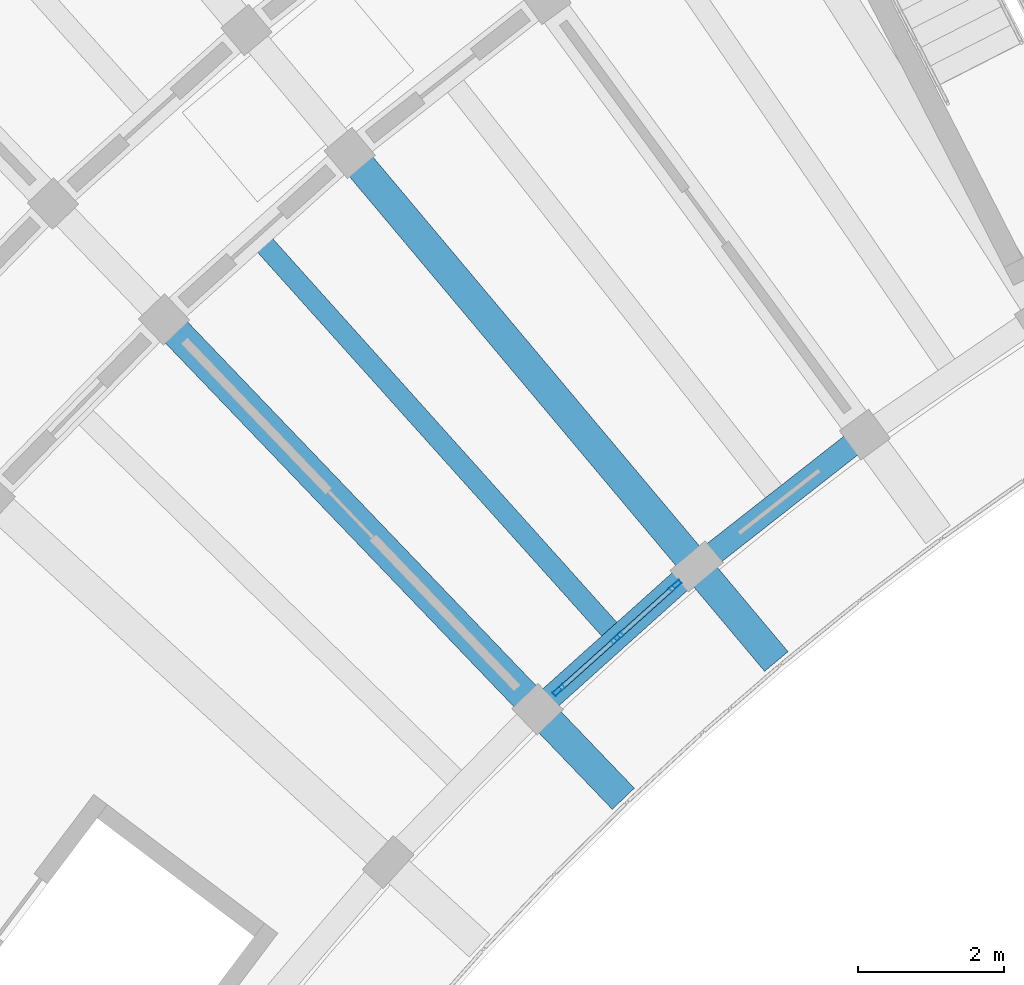
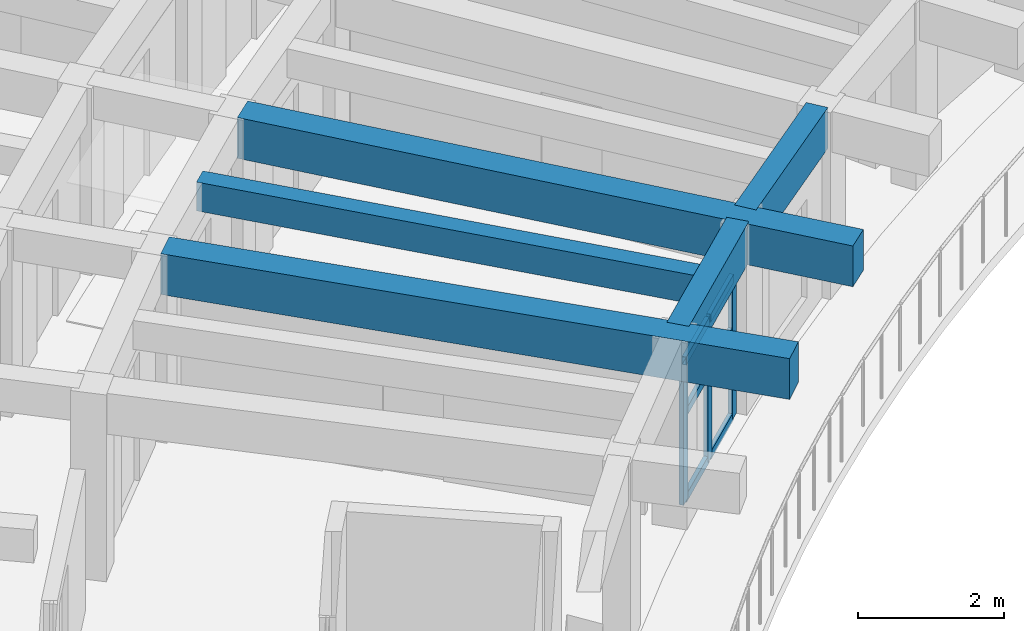
# One storey, part 6 of 41: 9 members, 5 beams, 1 element without a shape of its own.
"""IFC4 building model written with IfcOpenShell, lengths in metres."""

from ifc_helpers import new_model, si_unit, direction, frame, origin, origin_2d, place, context, subcontext, project, spatial, rectangle, hollow_rectangle, extrude, material, material_profile, profile_set, type_object, element, aggregate, save


model = new_model("IFC4")

# Units and contexts
model_context = context("Model", 3, precision=1e-05, world=origin(), true_north=direction((0.0, 1.0)))
body_context = subcontext(model_context, "Body", "Model", "MODEL_VIEW")
ifc_project = project(units=[si_unit("LENGTHUNIT", "METRE"), si_unit("AREAUNIT", "SQUARE_METRE"), si_unit("VOLUMEUNIT", "CUBIC_METRE"), si_unit("PLANEANGLEUNIT", "RADIAN"), si_unit("MASSUNIT", "GRAM", prefix="KILO")], contexts=[model_context])

# Site, building, storey
site_placement = place(None, origin())
site = spatial("IfcSite", under=ifc_project, at=site_placement, CompositionType="ELEMENT")
building_placement = place(site_placement, origin())
building = spatial("IfcBuilding", under=site, at=building_placement, Name="Tanwirah Colonnade Gardens", CompositionType="ELEMENT")
storey_placement = place(building_placement, frame((0.0, 0.0, 35.719970703125)))
storey = spatial("IfcBuildingStorey", under=building, at=storey_placement, Name="L10", CompositionType="ELEMENT", Elevation=35.719970703125)

# Beams
ifc_material_1 = material(Name="Precast concrete C45/55", Category="concrete")
ifc_material_profile_1 = material_profile(ifc_material_1, rectangle(XDim=0.419921875, YDim=0.679931640625, at=origin_2d()), Name="PC-BM 420x680")
ifc_profile_set_1 = profile_set([ifc_material_profile_1], Name="Precast concrete C45/55")
beam_type_1 = type_object("IfcBeamType", Name="BM-PC420", PredefinedType="BEAM", material=ifc_profile_set_1)
for number, where, z_axis, x_axis, name in (
    (1, (31.767822265625, 99.804443359375, 2.775146484375), (0.64279407932, -0.766039014406, 0.0), (0.766039014406, 0.64279407932, 0.0), "Block A L10 Inner Radial Precast Girder 9"),
    (2, (29.230712890625, 97.52880859375, 2.775146484375), (0.691860926595, -0.722030787606, 0.0), (0.722030787606, 0.691860926595, 0.0), "Block A L10 Inner Radial Precast Girder 10"),
):
    element("IfcBeam", number, at=place(storey_placement, frame(where, z_axis=z_axis, x_axis=x_axis)), inside=storey, type_object=beam_type_1, Name=name, PredefinedType="BEAM", context=body_context, shape_type="SweptSolid", body=[
        extrude(rectangle(XDim=0.419921875, YDim=0.679931640625, at=origin_2d()), origin(), (0.0, 0.0, 1.0), 8.949951171875),
    ])

# Curtain wall, members
ifc_material_2 = material(Name="Bronze-anodised aluminium and solar-control low-E glass", Category="aluminium")
curtain_wall_type = type_object("IfcCurtainWallType", Name="CW-GDN", PredefinedType="NOTDEFINED", material=ifc_material_2)
curtain_wall_placement = place(storey_placement, origin())
curtain_wall = element("IfcCurtainWall", 3, at=curtain_wall_placement, inside=storey, type_object=curtain_wall_type, Name="Curtain Wall CW-A-L10-IN-09", PredefinedType="NOTDEFINED")
ifc_material_3 = material(Name="Bronze-anodised aluminium", Category="aluminium")
ifc_material_profile_2 = material_profile(ifc_material_3, hollow_rectangle(XDim=0.06494140625, YDim=0.179931640625, WallThickness=0.00390625, at=origin_2d()), Name="CW-MUL 65x180x4")
ifc_profile_set_2 = profile_set([ifc_material_profile_2], Name="Bronze-anodised aluminium")
member_type_1 = type_object("IfcMemberType", Name="CWM-65x180", PredefinedType="MULLION", material=ifc_profile_set_2)
member_1_placement = place(storey_placement, frame((36.135986328125, 93.988525390625, 0.0), z_axis=(0.0, 0.0, 1.0), x_axis=(0.667689182798, -0.744440162253, 0.0)))
member_1 = element("IfcMember", 4, at=member_1_placement, type_object=member_type_1, Name="CW-GDN mullion 1", PredefinedType="MULLION", context=body_context, shape_type="SweptSolid", body=[
    extrude(hollow_rectangle(XDim=0.06494140625, YDim=0.179931640625, WallThickness=0.00390625, at=origin_2d()), origin(), (0.0, 0.0, 1.0), 2.35498046875),
])
member_2_placement = place(storey_placement, frame((35.33740234375, 93.2724609375, 0.0), z_axis=(0.0, 0.0, 1.0), x_axis=(0.667689182798, -0.744440162253, 0.0)))
member_2 = element("IfcMember", 5, at=member_2_placement, type_object=member_type_1, Name="CW-GDN mullion 2", PredefinedType="MULLION", context=body_context, shape_type="SweptSolid", body=[
    extrude(hollow_rectangle(XDim=0.06494140625, YDim=0.179931640625, WallThickness=0.00390625, at=origin_2d()), origin(), (0.0, 0.0, 1.0), 2.35498046875),
])
member_3_placement = place(storey_placement, frame((34.538818359375, 92.55615234375, 0.0), z_axis=(0.0, 0.0, 1.0), x_axis=(0.667689182798, -0.744440162253, 0.0)))
member_3 = element("IfcMember", 6, at=member_3_placement, type_object=member_type_1, Name="CW-GDN mullion 3", PredefinedType="MULLION", context=body_context, shape_type="SweptSolid", body=[
    extrude(hollow_rectangle(XDim=0.06494140625, YDim=0.179931640625, WallThickness=0.00390625, at=origin_2d()), origin(), (0.0, 0.0, 1.0), 2.35498046875),
])
ifc_material_profile_3 = material_profile(ifc_material_3, hollow_rectangle(XDim=0.06494140625, YDim=0.135009765625, WallThickness=0.00390625, at=origin_2d()), Name="CW-TRN 65x135x4")
ifc_profile_set_3 = profile_set([ifc_material_profile_3], Name="Bronze-anodised aluminium")
member_type_2 = type_object("IfcMemberType", Name="CWT-65x135", PredefinedType="USERDEFINED", material=ifc_profile_set_3)
member_4_placement = place(storey_placement, frame((36.11181640625, 93.966796875, 0.032470703125), z_axis=(-0.744581898821, -0.667531119835, 0.0), x_axis=(0.667531119835, -0.744581898821, 0.0)))
member_4 = element("IfcMember", 7, at=member_4_placement, type_object=member_type_2, Name="CW-GDN transom 1.1", ObjectType="TRANSOM", PredefinedType="USERDEFINED", context=body_context, shape_type="SweptSolid", body=[
    extrude(hollow_rectangle(XDim=0.06494140625, YDim=0.135009765625, WallThickness=0.00390625, at=origin_2d()), origin(), (0.0, 0.0, 1.0), 1.007568359375),
])
member_5_placement = place(storey_placement, frame((36.11181640625, 93.966796875, 1.460205078125), z_axis=(-0.744581898821, -0.667531119835, 0.0), x_axis=(0.667531119835, -0.744581898821, 0.0)))
member_5 = element("IfcMember", 8, at=member_5_placement, type_object=member_type_2, Name="CW-GDN transom 1.2", ObjectType="TRANSOM", PredefinedType="USERDEFINED", context=body_context, shape_type="SweptSolid", body=[
    extrude(hollow_rectangle(XDim=0.06494140625, YDim=0.135009765625, WallThickness=0.00390625, at=origin_2d()), origin(), (0.0, 0.0, 1.0), 1.007568359375),
])
member_6_placement = place(storey_placement, frame((36.11181640625, 93.966796875, 2.322509765625), z_axis=(-0.744581898821, -0.667531119835, 0.0), x_axis=(0.667531119835, -0.744581898821, 0.0)))
member_6 = element("IfcMember", 9, at=member_6_placement, type_object=member_type_2, Name="CW-GDN transom 1.3", ObjectType="TRANSOM", PredefinedType="USERDEFINED", context=body_context, shape_type="SweptSolid", body=[
    extrude(hollow_rectangle(XDim=0.06494140625, YDim=0.135009765625, WallThickness=0.00390625, at=origin_2d()), origin(), (0.0, 0.0, 1.0), 1.007568359375),
])
member_7_placement = place(storey_placement, frame((35.313232421875, 93.250732421875, 0.032470703125), z_axis=(-0.744461476402, -0.667665417821, 0.0), x_axis=(0.667665417821, -0.744461476402, 0.0)))
member_7 = element("IfcMember", 10, at=member_7_placement, type_object=member_type_2, Name="CW-GDN transom 2.1", ObjectType="TRANSOM", PredefinedType="USERDEFINED", context=body_context, shape_type="SweptSolid", body=[
    extrude(hollow_rectangle(XDim=0.06494140625, YDim=0.135009765625, WallThickness=0.00390625, at=origin_2d()), origin(), (0.0, 0.0, 1.0), 1.0078125),
])
member_8_placement = place(storey_placement, frame((35.313232421875, 93.250732421875, 1.460205078125), z_axis=(-0.744461476402, -0.667665417821, 0.0), x_axis=(0.667665417821, -0.744461476402, 0.0)))
member_8 = element("IfcMember", 11, at=member_8_placement, type_object=member_type_2, Name="CW-GDN transom 2.2", ObjectType="TRANSOM", PredefinedType="USERDEFINED", context=body_context, shape_type="SweptSolid", body=[
    extrude(hollow_rectangle(XDim=0.06494140625, YDim=0.135009765625, WallThickness=0.00390625, at=origin_2d()), origin(), (0.0, 0.0, 1.0), 1.0078125),
])
member_9_placement = place(storey_placement, frame((35.313232421875, 93.250732421875, 2.322509765625), z_axis=(-0.744461476402, -0.667665417821, 0.0), x_axis=(0.667665417821, -0.744461476402, 0.0)))
member_9 = element("IfcMember", 12, at=member_9_placement, type_object=member_type_2, Name="CW-GDN transom 2.3", ObjectType="TRANSOM", PredefinedType="USERDEFINED", context=body_context, shape_type="SweptSolid", body=[
    extrude(hollow_rectangle(XDim=0.06494140625, YDim=0.135009765625, WallThickness=0.00390625, at=origin_2d()), origin(), (0.0, 0.0, 1.0), 1.0078125),
])
aggregate(curtain_wall, [member_1, member_2, member_3, member_4, member_5, member_6, member_7, member_8, member_9])

# Beams
ifc_material_4 = material(Name="Precast concrete C40/50", Category="concrete")
ifc_material_profile_4 = material_profile(ifc_material_4, rectangle(XDim=0.280029296875, YDim=0.47998046875, at=origin_2d()), Name="PC-JST 280x480")
ifc_profile_set_4 = profile_set([ifc_material_profile_4], Name="Precast concrete C40/50")
beam_type_2 = type_object("IfcBeamType", Name="JST-PC280", PredefinedType="JOIST", material=ifc_profile_set_4)
beam_placement = place(storey_placement, frame((35.2412109375, 93.379638671875, 2.875), z_axis=(-0.667688404274, 0.744440860511, 0.0), x_axis=(-0.744440860511, -0.667688404274, 0.0)))
element("IfcBeam", 13, at=beam_placement, inside=storey, type_object=beam_type_2, Name="Block A L10 Inner Precast Floor Joist 9", PredefinedType="JOIST", context=body_context, shape_type="SweptSolid", body=[
    extrude(rectangle(XDim=0.280029296875, YDim=0.47998046875, at=origin_2d()), origin(), (0.0, 0.0, 1.0), 7.16015625),
])
ifc_material_profile_5 = material_profile(ifc_material_1, rectangle(XDim=0.320068359375, YDim=0.679931640625, at=origin_2d()), Name="PC-SP 320x680")
ifc_profile_set_5 = profile_set([ifc_material_profile_5], Name="Precast concrete C45/55")
beam_type_3 = type_object("IfcBeamType", Name="SP-PC320", PredefinedType="SPANDREL", material=ifc_profile_set_5)
for number, where, z_axis, x_axis, name in (
    (14, (38.61572265625, 95.966552734375, 2.775146484375), (-0.786836625031, -0.617161344795, 0.0), (0.617161344795, -0.786836625031, 0.0), "Block A L10 Circumferential Beam 8-R0"),
    (15, (36.31640625, 94.150634765625, 2.775146484375), (-0.744400790288, -0.667733077972, 0.0), (0.667733077972, -0.744400790288, 0.0), "Block A L10 Circumferential Beam 9-R0"),
):
    element("IfcBeam", number, at=place(storey_placement, frame(where, z_axis=z_axis, x_axis=x_axis)), inside=storey, type_object=beam_type_3, Name=name, PredefinedType="SPANDREL", context=body_context, shape_type="SweptSolid", body=[
        extrude(rectangle(XDim=0.320068359375, YDim=0.679931640625, at=origin_2d()), origin(), (0.0, 0.0, 1.0), 2.63037109375),
    ])

save(model, "model.ifc")
